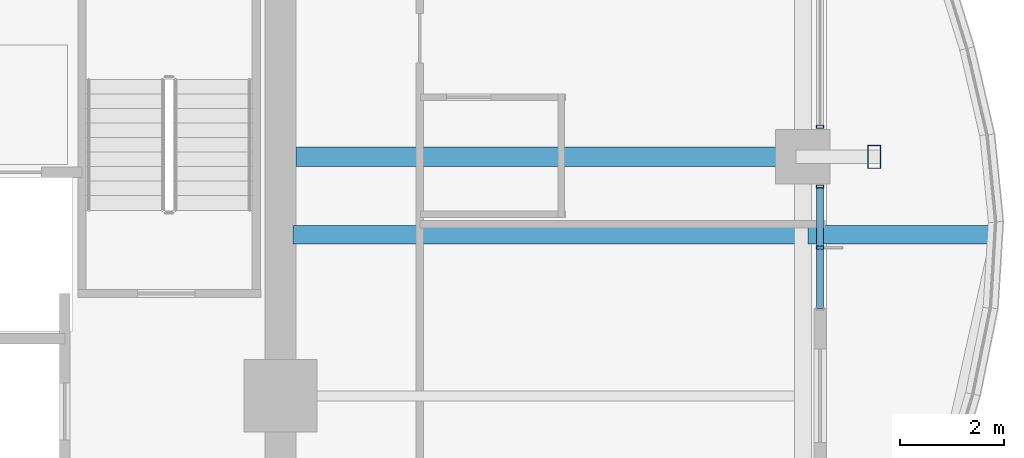
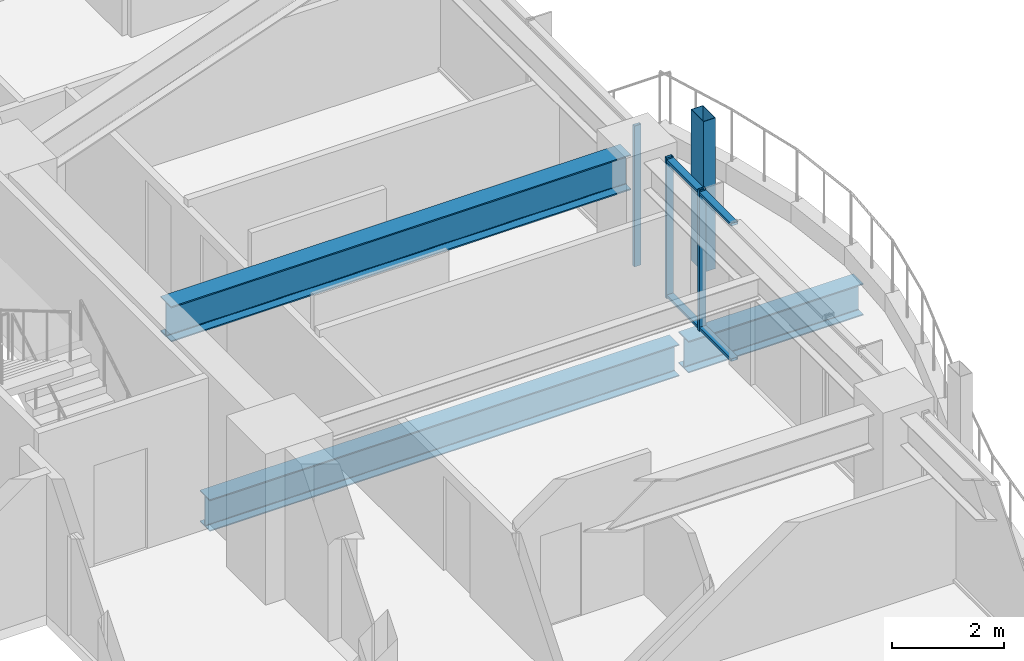
# One storey, part 16 of 37: 6 members, 3 beams, 2 elements without a shape of their own.
"""IFC4 building model written with IfcOpenShell, lengths in metres."""

from ifc_helpers import new_model, si_unit, direction, frame, origin, origin_2d, place, context, subcontext, project, spatial, hollow_rectangle, i_section, extrude, material, material_profile, profile_set, type_object, element, aggregate, save


model = new_model("IFC4")

# Units and contexts
model_context = context("Model", 3, precision=1e-05, world=origin(), true_north=direction((0.0, 1.0)))
body_context = subcontext(model_context, "Body", "Model", "MODEL_VIEW")
ifc_project = project(units=[si_unit("LENGTHUNIT", "METRE"), si_unit("AREAUNIT", "SQUARE_METRE"), si_unit("VOLUMEUNIT", "CUBIC_METRE"), si_unit("PLANEANGLEUNIT", "RADIAN"), si_unit("MASSUNIT", "GRAM", prefix="KILO")], contexts=[model_context])

# Site, building, storey
site_placement = place(None, origin())
site = spatial("IfcSite", under=ifc_project, at=site_placement, CompositionType="ELEMENT")
building_placement = place(site_placement, origin())
building = spatial("IfcBuilding", under=site, at=building_placement, Name="Kolvaren Belvedere", CompositionType="ELEMENT")
storey_placement = place(building_placement, frame((0.0, 0.0, 75.5)))
storey = spatial("IfcBuildingStorey", under=building, at=storey_placement, Name="L21", CompositionType="ELEMENT", Elevation=75.5)

# Beams
ifc_material_1 = material(Name="Structural steel ASTM A992 Grade 50", Category="steel")
ifc_material_profile_1 = material_profile(ifc_material_1, i_section(OverallWidth=0.35498046875, OverallDepth=0.696044921875, WebThickness=0.015380859375, FlangeThickness=0.02490234375, FilletRadius=0.02197265625, at=origin_2d()), Name="W27X146")
ifc_profile_set_1 = profile_set([ifc_material_profile_1], Name="Structural steel ASTM A992 Grade 50")
beam_type_1 = type_object("IfcBeamType", Name="BM-CANT-BAL", PredefinedType="BEAM", material=ifc_profile_set_1)
beam_1_placement = place(storey_placement, frame((20.044921875, 3.10009765625, -0.568115234375), z_axis=(1.0, 0.0, 0.0), x_axis=(0.0, 1.0, 0.0)))
element("IfcBeam", 1, at=beam_1_placement, inside=storey, type_object=beam_type_1, Name="L21 Planted Balcony Cantilever BAL-E-2", PredefinedType="BEAM", context=body_context, shape_type="SweptSolid", body=[
    extrude(i_section(OverallWidth=0.35498046875, OverallDepth=0.696044921875, WebThickness=0.015380859375, FlangeThickness=0.02490234375, FilletRadius=0.02197265625, at=origin_2d()), origin(), (0.0, 0.0, 1.0), 3.619140625),
])
ifc_material_2 = material(Name="Structural steel ASTM A992 Grade 50", Category="steel")
ifc_material_profile_2 = material_profile(ifc_material_2, i_section(OverallWidth=0.35498046875, OverallDepth=0.696044921875, WebThickness=0.015380859375, FlangeThickness=0.02490234375, FilletRadius=0.02197265625, at=origin_2d()), Name="W27X146")
ifc_profile_set_2 = profile_set([ifc_material_profile_2], Name="Structural steel ASTM A992 Grade 50")
beam_type_2 = type_object("IfcBeamType", Name="BM-GIRD-W27X146", PredefinedType="BEAM", material=ifc_profile_set_2)
beam_2_placement = place(storey_placement, frame((10.139892578125, 3.10009765625, -0.568115234375), z_axis=(1.0, 0.0, 0.0), x_axis=(0.0, 1.0, 0.0)))
element("IfcBeam", 2, at=beam_2_placement, inside=storey, type_object=beam_type_2, Name="L21 Balcony Interior Back-Span Girder BAL-E-2", PredefinedType="BEAM", context=body_context, shape_type="SweptSolid", body=[
    extrude(i_section(OverallWidth=0.35498046875, OverallDepth=0.696044921875, WebThickness=0.015380859375, FlangeThickness=0.02490234375, FilletRadius=0.02197265625, at=origin_2d()), origin(), (0.0, 0.0, 1.0), 9.715087890625),
])
ifc_material_3 = material(Name="Structural steel ASTM A992 Grade 50", Category="steel")
ifc_material_profile_3 = material_profile(ifc_material_3, i_section(OverallWidth=0.381103515625, OverallDepth=0.77294921875, WebThickness=0.0166015625, FlangeThickness=0.027099609375, FilletRadius=0.02392578125, at=origin_2d()), Name="W30X173")
ifc_profile_set_3 = profile_set([ifc_material_profile_3], Name="Structural steel ASTM A992 Grade 50")
beam_type_3 = type_object("IfcBeamType", Name="BM-GIRD-W30X173", PredefinedType="BEAM", material=ifc_profile_set_3)
beam_3_placement = place(storey_placement, frame((10.199951171875, 4.60009765625, 2.693603515625), z_axis=(1.0, 0.0, 0.0), x_axis=(0.0, 1.0, 0.0)))
element("IfcBeam", 3, at=beam_3_placement, inside=storey, type_object=beam_type_3, Name="L21 East Radial Girder P", PredefinedType="BEAM", context=body_context, shape_type="SweptSolid", body=[
    extrude(i_section(OverallWidth=0.381103515625, OverallDepth=0.77294921875, WebThickness=0.0166015625, FlangeThickness=0.027099609375, FilletRadius=0.02392578125, at=origin_2d()), origin(), (0.0, 0.0, 1.0), 9.513916015625),
])

# Curtain wall, member
ifc_material_4 = material(Name="Anodised pale-metal aluminium AA 6063-T6", Category="aluminium")
curtain_wall_type = type_object("IfcCurtainWallType", Name="CW-Z2-MID", PredefinedType="NOTDEFINED", material=ifc_material_4)
curtain_wall_1_placement = place(storey_placement, origin())
curtain_wall_1 = element("IfcCurtainWall", 4, at=curtain_wall_1_placement, inside=storey, type_object=curtain_wall_type, Name="L21 Unitised Curtain Wall FCW-L21-E1-B1", PredefinedType="NOTDEFINED")
ifc_material_5 = material(Name="Anodised pale-metal aluminium AA 6063-T6", Category="aluminium")
ifc_material_profile_4 = material_profile(ifc_material_5, hollow_rectangle(XDim=0.06494140625, YDim=0.139892578125, WallThickness=0.00390625, at=origin_2d()), Name="ALU-MUL-140X65")
ifc_profile_set_4 = profile_set([ifc_material_profile_4], Name="Anodised pale-metal aluminium AA 6063-T6")
member_type_1 = type_object("IfcMemberType", Name="CW-MUL-140", PredefinedType="MULLION", material=ifc_profile_set_4)
member_1_placement = place(storey_placement, frame((20.280029296875, 5.177490234375, 0.0), z_axis=(0.0, 0.0, 1.0), x_axis=(0.0, 1.0, 0.0)))
member_1 = element("IfcMember", 5, at=member_1_placement, type_object=member_type_1, Name="FCW-L21-E1-B1 Unitised Mullion 3", PredefinedType="MULLION", context=body_context, shape_type="SweptSolid", body=[
    extrude(hollow_rectangle(XDim=0.06494140625, YDim=0.139892578125, WallThickness=0.00390625, at=origin_2d()), origin(), (0.0, 0.0, 1.0), 3.080078125),
])
aggregate(curtain_wall_1, [member_1])

# Curtain wall, members
curtain_wall_2_placement = place(storey_placement, origin())
curtain_wall_2 = element("IfcCurtainWall", 6, at=curtain_wall_2_placement, inside=storey, type_object=curtain_wall_type, Name="L21 Unitised Curtain Wall FCW-L21-E1-B2", PredefinedType="NOTDEFINED")
member_2_placement = place(storey_placement, frame((20.280029296875, 4.0224609375, 0.0), z_axis=(0.0, 0.0, 1.0), x_axis=(0.0, 1.0, 0.0)))
member_2 = element("IfcMember", 7, at=member_2_placement, type_object=member_type_1, Name="FCW-L21-E1-B2 Unitised Mullion 1", PredefinedType="MULLION", context=body_context, shape_type="SweptSolid", body=[
    extrude(hollow_rectangle(XDim=0.06494140625, YDim=0.139892578125, WallThickness=0.00390625, at=origin_2d()), origin(), (0.0, 0.0, 1.0), 3.080078125),
])
member_3_placement = place(storey_placement, frame((20.280029296875, 2.851318359375, 0.0), z_axis=(0.0, 0.0, 1.0), x_axis=(0.0, 1.0, 0.0)))
member_3 = element("IfcMember", 8, at=member_3_placement, type_object=member_type_1, Name="FCW-L21-E1-B2 Unitised Mullion 2", PredefinedType="MULLION", context=body_context, shape_type="SweptSolid", body=[
    extrude(hollow_rectangle(XDim=0.06494140625, YDim=0.139892578125, WallThickness=0.00390625, at=origin_2d()), origin(), (0.0, 0.0, 1.0), 3.080078125),
])
ifc_material_6 = material(Name="Anodised pale-metal aluminium AA 6063-T6", Category="aluminium")
ifc_material_profile_5 = material_profile(ifc_material_6, hollow_rectangle(XDim=0.06005859375, YDim=0.139892578125, WallThickness=0.00390625, at=origin_2d()), Name="ALU-TRN-140X60")
ifc_profile_set_5 = profile_set([ifc_material_profile_5], Name="Anodised pale-metal aluminium AA 6063-T6")
member_type_2 = type_object("IfcMemberType", Name="CW-TRN-140", PredefinedType="USERDEFINED", material=ifc_profile_set_5)
member_4_placement = place(storey_placement, frame((20.280029296875, 4.0224609375, 0.06005859375), z_axis=(0.0, -1.0, 0.0), x_axis=(0.0, 0.0, 1.0)))
member_4 = element("IfcMember", 9, at=member_4_placement, type_object=member_type_2, Name="FCW-L21-E1-B2 Sill Transom", ObjectType="TRANSOM", PredefinedType="USERDEFINED", context=body_context, shape_type="SweptSolid", body=[
    extrude(hollow_rectangle(XDim=0.06005859375, YDim=0.139892578125, WallThickness=0.00390625, at=origin_2d()), origin(), (0.0, 0.0, 1.0), 2.342529296875),
])
member_5_placement = place(storey_placement, frame((20.280029296875, 4.0224609375, 3.02001953125), z_axis=(0.0, -1.0, 0.0), x_axis=(0.0, 0.0, 1.0)))
member_5 = element("IfcMember", 10, at=member_5_placement, type_object=member_type_2, Name="FCW-L21-E1-B2 Head Transom", ObjectType="TRANSOM", PredefinedType="USERDEFINED", context=body_context, shape_type="SweptSolid", body=[
    extrude(hollow_rectangle(XDim=0.06005859375, YDim=0.139892578125, WallThickness=0.00390625, at=origin_2d()), origin(), (0.0, 0.0, 1.0), 2.342529296875),
])
aggregate(curtain_wall_2, [member_2, member_3, member_4, member_5])

# Member
ifc_material_7 = material(Name="Anodised pale-metal aluminium AA 6063-T6", Category="aluminium")
ifc_material_profile_6 = material_profile(ifc_material_7, hollow_rectangle(XDim=0.25, YDim=0.449951171875, WallThickness=0.008544921875, at=origin_2d()), Name="ALU-PF-450X250")
ifc_profile_set_6 = profile_set([ifc_material_profile_6], Name="Anodised pale-metal aluminium AA 6063-T6")
member_type_3 = type_object("IfcMemberType", Name="PF-FRAME-450", PredefinedType="USERDEFINED", material=ifc_profile_set_6)
member_6_placement = place(storey_placement, frame((21.320068359375, 4.60009765625, 0.0), z_axis=(0.0, 0.0, 1.0), x_axis=(1.0, 0.0, 0.0)))
element("IfcMember", 11, at=member_6_placement, inside=storey, type_object=member_type_3, Name="L21 Outboard Picture-Frame Vertical E1", ObjectType="PICTURE FRAME FIN", PredefinedType="USERDEFINED", context=body_context, shape_type="SweptSolid", body=[
    extrude(hollow_rectangle(XDim=0.25, YDim=0.449951171875, WallThickness=0.008544921875, at=origin_2d()), origin(), (0.0, 0.0, 1.0), 3.300048828125),
])

save(model, "model.ifc")
